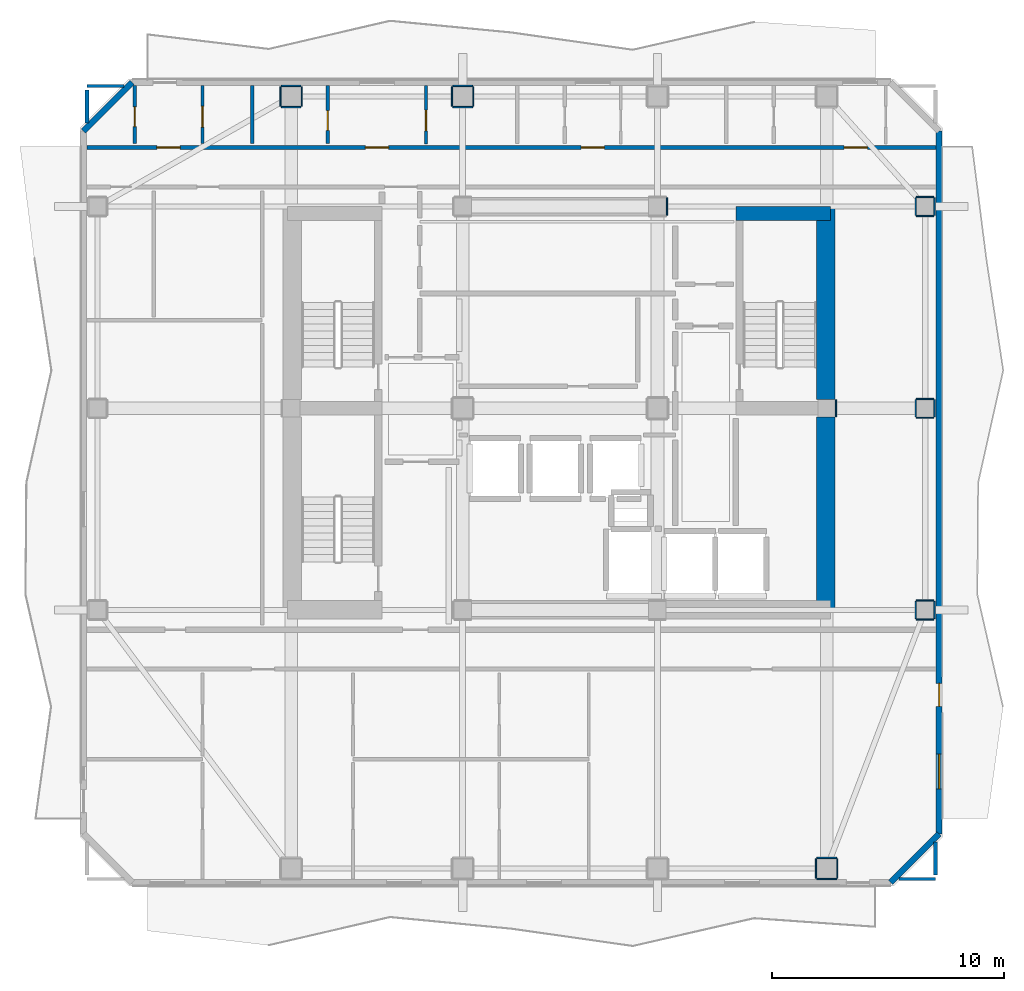
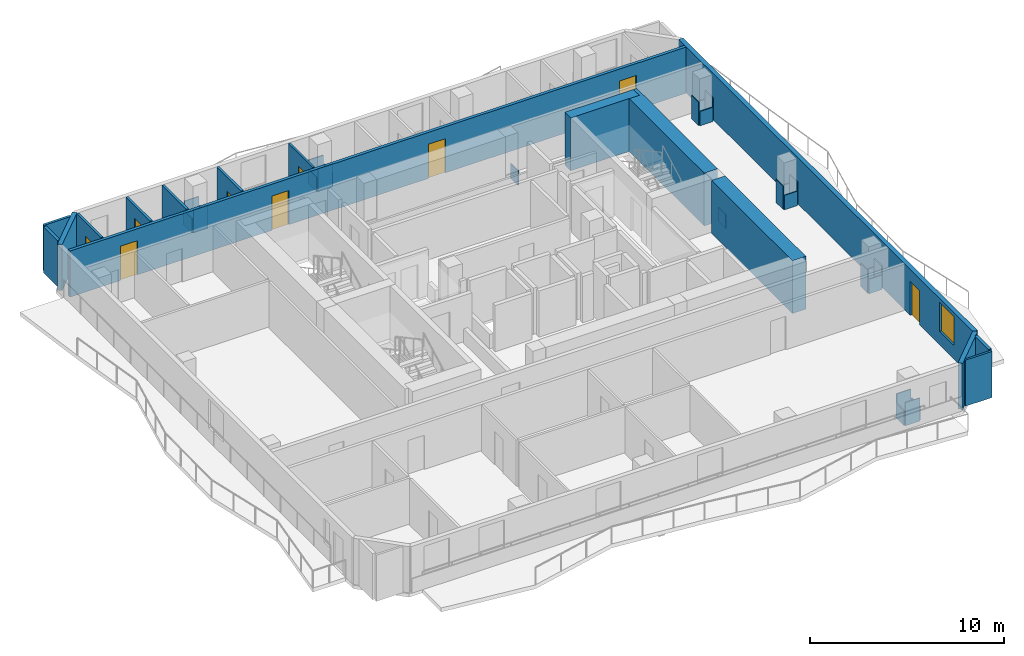
# One storey, part 5 of 10: 42 walls, 9 doors, 1 window, 10 openings.
"""IFC4 building model written with IfcOpenShell, lengths in metres."""

from ifc_helpers import new_model, si_unit, direction, frame, frame_2d, origin, place, context, subcontext, project, spatial, rectangle, extrude, material, layer, layer_set, type_object, element, fill, save


model = new_model("IFC4")

# Units and contexts
model_context = context("Model", 3, precision=1e-05, world=origin(), true_north=direction((0.0, 1.0)))
body_context = subcontext(model_context, "Body", "Model", "MODEL_VIEW")
ifc_project = project(units=[si_unit("LENGTHUNIT", "METRE"), si_unit("AREAUNIT", "SQUARE_METRE"), si_unit("VOLUMEUNIT", "CUBIC_METRE"), si_unit("PLANEANGLEUNIT", "RADIAN"), si_unit("MASSUNIT", "GRAM", prefix="KILO")], contexts=[model_context])

# Site, building, storey
site_placement = place(None, origin())
site = spatial("IfcSite", under=ifc_project, at=site_placement, CompositionType="ELEMENT")
building_placement = place(site_placement, origin())
building = spatial("IfcBuilding", under=site, at=building_placement, Name="Solanera Arch Residences", CompositionType="ELEMENT")
storey_placement = place(building_placement, frame((0.0, 0.0, 206.760009765625)))
storey = spatial("IfcBuildingStorey", under=building, at=storey_placement, Name="L60", CompositionType="ELEMENT", Elevation=206.760009765625)

# Walls
ifc_material_1 = material(Name="Fire-Rated Gypsum Stud Partition", Category="gypsum")
ifc_layer_1 = layer(ifc_material_1, 0.06005859375)
ifc_layer_set_1 = layer_set([ifc_layer_1], Name="Fire-Rated Gypsum Stud Partition")
wall_type_1 = type_object("IfcWallType", Name="Column Acoustic Furring Wall 60", PredefinedType="PARTITIONING", material=ifc_layer_set_1)
for number, where, z_axis, x_axis, name in (
    (1, (29.60693359375, 39.02490234375, 0.0), (0.0, 0.0, 1.0), (0.0, 1.0, 0.0), "L60 Column Furring 4E"),
    (2, (36.906982421875, 30.324951171875, 0.0), (0.0, 0.0, 1.0), (0.0, 1.0, 0.0), "L60 Column Furring 6E"),
):
    element("IfcWall", number, at=place(storey_placement, frame(where, z_axis=z_axis, x_axis=x_axis)), inside=storey, type_object=wall_type_1, Name=name, PredefinedType="PARTITIONING", context=body_context, shape_type="SweptSolid", body=[
        extrude(rectangle(XDim=0.75, YDim=0.06005859375, at=frame_2d((0.375, 0.0))), origin(), (0.0, 0.0, 1.0), 0.905029296875),
    ])
for number, where, z_axis, x_axis, name in (
    (3, (12.97509765625, 43.693115234375, 0.0), (0.0, 0.0, 1.0), (1.0, 0.0, 0.0), "L60 Column Furring 10S"),
    (4, (12.97509765625, 44.60693359375, 0.0), (0.0, 0.0, 1.0), (1.0, 0.0, 0.0), "L60 Column Furring 10N"),
):
    element("IfcWall", number, at=place(storey_placement, frame(where, z_axis=z_axis, x_axis=x_axis)), inside=storey, type_object=wall_type_1, Name=name, PredefinedType="PARTITIONING", context=body_context, shape_type="SweptSolid", body=[
        extrude(rectangle(XDim=0.849853515625, YDim=0.06005859375, at=frame_2d((0.4248046875, 0.0))), origin(), (0.0, 0.0, 1.0), 1.449951171875),
    ])
for number, where, z_axis, x_axis, name in (
    (5, (12.943115234375, 43.72509765625, 0.0), (0.0, 0.0, 1.0), (0.0, 1.0, 0.0), "L60 Column Furring 10W"),
    (6, (13.85693359375, 43.72509765625, 0.0), (0.0, 0.0, 1.0), (0.0, 1.0, 0.0), "L60 Column Furring 10E"),
):
    element("IfcWall", number, at=place(storey_placement, frame(where, z_axis=z_axis, x_axis=x_axis)), inside=storey, type_object=wall_type_1, Name=name, PredefinedType="PARTITIONING", context=body_context, shape_type="SweptSolid", body=[
        extrude(rectangle(XDim=0.849853515625, YDim=0.06005859375, at=frame_2d((0.4248046875, 0.0))), origin(), (0.0, 0.0, 1.0), 0.905029296875),
    ])
for number, where, z_axis, x_axis, name in (
    (7, (20.375, 43.693115234375, 0.0), (0.0, 0.0, 1.0), (1.0, 0.0, 0.0), "L60 Column Furring 12S"),
    (8, (20.375, 44.60693359375, 0.0), (0.0, 0.0, 1.0), (1.0, 0.0, 0.0), "L60 Column Furring 12N"),
):
    element("IfcWall", number, at=place(storey_placement, frame(where, z_axis=z_axis, x_axis=x_axis)), inside=storey, type_object=wall_type_1, Name=name, PredefinedType="PARTITIONING", context=body_context, shape_type="SweptSolid", body=[
        extrude(rectangle(XDim=0.85009765625, YDim=0.06005859375, at=frame_2d((0.425048828125, 0.0))), origin(), (0.0, 0.0, 1.0), 1.449951171875),
    ])
for number, where, z_axis, x_axis, name in (
    (9, (20.343017578125, 43.72509765625, 0.0), (0.0, 0.0, 1.0), (0.0, 1.0, 0.0), "L60 Column Furring 12W"),
    (10, (21.257080078125, 43.72509765625, 0.0), (0.0, 0.0, 1.0), (0.0, 1.0, 0.0), "L60 Column Furring 12E"),
):
    element("IfcWall", number, at=place(storey_placement, frame(where, z_axis=z_axis, x_axis=x_axis)), inside=storey, type_object=wall_type_1, Name=name, PredefinedType="PARTITIONING", context=body_context, shape_type="SweptSolid", body=[
        extrude(rectangle(XDim=0.849853515625, YDim=0.06005859375, at=frame_2d((0.4248046875, 0.0))), origin(), (0.0, 0.0, 1.0), 0.905029296875),
    ])
for number, where, z_axis, x_axis, name in (
    (11, (36.074951171875, 10.39306640625, 0.0), (0.0, 0.0, 1.0), (1.0, 0.0, 0.0), "L60 Column Furring 15S"),
    (12, (36.074951171875, 11.306884765625, 0.0), (0.0, 0.0, 1.0), (1.0, 0.0, 0.0), "L60 Column Furring 15N"),
):
    element("IfcWall", number, at=place(storey_placement, frame(where, z_axis=z_axis, x_axis=x_axis)), inside=storey, type_object=wall_type_1, Name=name, PredefinedType="PARTITIONING", context=body_context, shape_type="SweptSolid", body=[
        extrude(rectangle(XDim=0.85009765625, YDim=0.06005859375, at=frame_2d((0.425048828125, 0.0))), origin(), (0.0, 0.0, 1.0), 1.449951171875),
    ])
for number, where, z_axis, x_axis, name in (
    (13, (36.04296875, 10.425048828125, 0.0), (0.0, 0.0, 1.0), (0.0, 1.0, 0.0), "L60 Column Furring 15W"),
    (14, (36.95703125, 10.425048828125, 0.0), (0.0, 0.0, 1.0), (0.0, 1.0, 0.0), "L60 Column Furring 15E"),
):
    element("IfcWall", number, at=place(storey_placement, frame(where, z_axis=z_axis, x_axis=x_axis)), inside=storey, type_object=wall_type_1, Name=name, PredefinedType="PARTITIONING", context=body_context, shape_type="SweptSolid", body=[
        extrude(rectangle(XDim=0.849853515625, YDim=0.06005859375, at=frame_2d((0.4248046875, 0.0))), origin(), (0.0, 0.0, 1.0), 0.905029296875),
    ])
for number, where, z_axis, x_axis, name in (
    (15, (40.375, 21.593017578125, 0.0), (0.0, 0.0, 1.0), (1.0, 0.0, 0.0), "L60 Column Furring 18S"),
    (16, (40.375, 22.406982421875, 0.0), (0.0, 0.0, 1.0), (1.0, 0.0, 0.0), "L60 Column Furring 18N"),
):
    element("IfcWall", number, at=place(storey_placement, frame(where, z_axis=z_axis, x_axis=x_axis)), inside=storey, type_object=wall_type_1, Name=name, PredefinedType="PARTITIONING", context=body_context, shape_type="SweptSolid", body=[
        extrude(rectangle(XDim=0.75, YDim=0.06005859375, at=frame_2d((0.375, 0.0))), origin(), (0.0, 0.0, 1.0), 0.905029296875),
    ])
for number, where, z_axis, x_axis, name in (
    (17, (40.343017578125, 21.625, 0.0), (0.0, 0.0, 1.0), (0.0, 1.0, 0.0), "L60 Column Furring 18W"),
    (18, (41.156982421875, 21.625, 0.0), (0.0, 0.0, 1.0), (0.0, 1.0, 0.0), "L60 Column Furring 18E"),
):
    element("IfcWall", number, at=place(storey_placement, frame(where, z_axis=z_axis, x_axis=x_axis)), inside=storey, type_object=wall_type_1, Name=name, PredefinedType="PARTITIONING", context=body_context, shape_type="SweptSolid", body=[
        extrude(rectangle(XDim=0.75, YDim=0.06005859375, at=frame_2d((0.375, 0.0))), origin(), (0.0, 0.0, 1.0), 1.449951171875),
    ])
for number, where, z_axis, x_axis, name in (
    (19, (40.375, 30.29296875, 0.0), (0.0, 0.0, 1.0), (1.0, 0.0, 0.0), "L60 Column Furring 20S"),
    (20, (40.375, 31.10693359375, 0.0), (0.0, 0.0, 1.0), (1.0, 0.0, 0.0), "L60 Column Furring 20N"),
):
    element("IfcWall", number, at=place(storey_placement, frame(where, z_axis=z_axis, x_axis=x_axis)), inside=storey, type_object=wall_type_1, Name=name, PredefinedType="PARTITIONING", context=body_context, shape_type="SweptSolid", body=[
        extrude(rectangle(XDim=0.75, YDim=0.06005859375, at=frame_2d((0.375, 0.0))), origin(), (0.0, 0.0, 1.0), 0.905029296875),
    ])
for number, where, z_axis, x_axis, name in (
    (21, (40.343017578125, 30.324951171875, 0.0), (0.0, 0.0, 1.0), (0.0, 1.0, 0.0), "L60 Column Furring 20W"),
    (22, (41.156982421875, 30.324951171875, 0.0), (0.0, 0.0, 1.0), (0.0, 1.0, 0.0), "L60 Column Furring 20E"),
):
    element("IfcWall", number, at=place(storey_placement, frame(where, z_axis=z_axis, x_axis=x_axis)), inside=storey, type_object=wall_type_1, Name=name, PredefinedType="PARTITIONING", context=body_context, shape_type="SweptSolid", body=[
        extrude(rectangle(XDim=0.75, YDim=0.06005859375, at=frame_2d((0.375, 0.0))), origin(), (0.0, 0.0, 1.0), 1.449951171875),
    ])
for number, where, z_axis, x_axis, name in (
    (23, (40.375, 38.992919921875, 0.0), (0.0, 0.0, 1.0), (1.0, 0.0, 0.0), "L60 Column Furring 22S"),
    (24, (40.375, 39.806884765625, 0.0), (0.0, 0.0, 1.0), (1.0, 0.0, 0.0), "L60 Column Furring 22N"),
):
    element("IfcWall", number, at=place(storey_placement, frame(where, z_axis=z_axis, x_axis=x_axis)), inside=storey, type_object=wall_type_1, Name=name, PredefinedType="PARTITIONING", context=body_context, shape_type="SweptSolid", body=[
        extrude(rectangle(XDim=0.75, YDim=0.06005859375, at=frame_2d((0.375, 0.0))), origin(), (0.0, 0.0, 1.0), 0.905029296875),
    ])
for number, where, z_axis, x_axis, name in (
    (25, (40.343017578125, 39.02490234375, 0.0), (0.0, 0.0, 1.0), (0.0, 1.0, 0.0), "L60 Column Furring 22W"),
    (26, (41.156982421875, 39.02490234375, 0.0), (0.0, 0.0, 1.0), (0.0, 1.0, 0.0), "L60 Column Furring 22E"),
):
    element("IfcWall", number, at=place(storey_placement, frame(where, z_axis=z_axis, x_axis=x_axis)), inside=storey, type_object=wall_type_1, Name=name, PredefinedType="PARTITIONING", context=body_context, shape_type="SweptSolid", body=[
        extrude(rectangle(XDim=0.75, YDim=0.06005859375, at=frame_2d((0.375, 0.0))), origin(), (0.0, 0.0, 1.0), 1.449951171875),
    ])
ifc_material_2 = material(Name="Concrete C40/50 (f'c = 45 MPa)", Category="concrete")
ifc_layer_2 = layer(ifc_material_2, 0.60009765625)
ifc_layer_set_2 = layer_set([ifc_layer_2], Name="Concrete C40/50 (f'c = 45 MPa)")
wall_type_2 = type_object("IfcWallType", Name="Core Shear Wall CW-600", PredefinedType="SHEAR", material=ifc_layer_set_2)
wall_1_placement = place(storey_placement, frame((32.580078125, 39.10009765625, 0.0), z_axis=(0.0, 0.0, 1.0), x_axis=(1.0, 0.0, 0.0)))
element("IfcWall", 27, at=wall_1_placement, inside=storey, type_object=wall_type_2, Name="L60 North-East Core Shear Wall", PredefinedType="SHEAR", context=body_context, shape_type="SweptSolid", body=[
    extrude(rectangle(XDim=4.079833984375, YDim=0.60009765625, at=frame_2d((2.0400390625, 0.0))), origin(), (0.0, 0.0, 1.0), 3.320068359375),
])
ifc_material_3 = material(Name="Concrete C40/50 (f'c = 45 MPa)", Category="concrete")
ifc_layer_3 = layer(ifc_material_3, 0.800048828125)
ifc_layer_set_3 = layer_set([ifc_layer_3], Name="Concrete C40/50 (f'c = 45 MPa)")
wall_type_3 = type_object("IfcWallType", Name="Core Shear Wall CW-800", PredefinedType="SHEAR", material=ifc_layer_set_3)
wall_2_placement = place(storey_placement, frame((36.4599609375, 22.0, 0.0), z_axis=(0.0, 0.0, 1.0), x_axis=(0.0, 1.0, 0.0)))
element("IfcWall", 28, at=wall_2_placement, inside=storey, type_object=wall_type_3, Name="L60 East Core South Shear Wall", PredefinedType="SHEAR", context=body_context, shape_type="SweptSolid", body=[
    extrude(rectangle(XDim=8.320068359375, YDim=0.800048828125, at=frame_2d((4.16015625, 0.0))), origin(), (0.0, 0.0, 1.0), 3.320068359375),
])
wall_3_placement = place(storey_placement, frame((36.4599609375, 31.080078125, 0.0), z_axis=(0.0, 0.0, 1.0), x_axis=(0.0, 1.0, 0.0)))
element("IfcWall", 29, at=wall_3_placement, inside=storey, type_object=wall_type_3, Name="L60 East Core North Shear Wall", PredefinedType="SHEAR", context=body_context, shape_type="SweptSolid", body=[
    extrude(rectangle(XDim=8.31982421875, YDim=0.800048828125, at=frame_2d((4.159912109375, 0.0))), origin(), (0.0, 0.0, 1.0), 3.320068359375),
])

# Wall, openings, doors
ifc_material_4 = material(Name="Autoclaved Aerated Concrete Blockwork", Category="masonry")
ifc_layer_4 = layer(ifc_material_4, 0.179931640625)
ifc_layer_set_4 = layer_set([ifc_layer_4], Name="Autoclaved Aerated Concrete Blockwork")
wall_type_4 = type_object("IfcWallType", Name="Corridor Fire Partition 180", PredefinedType="PARTITIONING", material=ifc_layer_set_4)
wall_4_placement = place(storey_placement, frame((4.5869140625, 41.949951171875, 0.0), z_axis=(0.0, 0.0, 1.0), x_axis=(1.0, 0.0, 0.0)))
wall_4 = element("IfcWall", 30, at=wall_4_placement, inside=storey, type_object=wall_type_4, Name="L60 Interior Partition H12", PredefinedType="PARTITIONING", context=body_context, shape_type="SweptSolid", body=[
    extrude(rectangle(XDim=36.6259765625, YDim=0.179931640625, at=frame_2d((18.31298828125, 0.0))), origin(), (0.0, 0.0, 1.0), 2.89990234375),
])
opening_1_placement = place(wall_4_placement, frame((3.02294921875, 0.0, 0.0)))
opening_1 = element("IfcOpeningElement", 31, at=opening_1_placement, cuts=wall_4, Name="Opening DI-01", PredefinedType="OPENING", context=body_context, shape_type="SweptSolid", body=[
    extrude(rectangle(XDim=1.0, YDim=2.14990234375, at=frame_2d((0.5, 1.074951171875))), frame((0.0, 0.10009765625, 0.0), z_axis=(0.0, -1.0, 0.0), x_axis=(1.0, 0.0, 0.0)), (0.0, 0.0, 1.0), 0.1999),
])
opening_2_placement = place(wall_4_placement, frame((12.012939453125, 0.0, 0.0)))
opening_2 = element("IfcOpeningElement", 32, at=opening_2_placement, cuts=wall_4, Name="Opening DI-01", PredefinedType="OPENING", context=body_context, shape_type="SweptSolid", body=[
    extrude(rectangle(XDim=1.0, YDim=2.14990234375, at=frame_2d((0.5, 1.074951171875))), frame((0.0, 0.10009765625, 0.0), z_axis=(0.0, -1.0, 0.0), x_axis=(1.0, 0.0, 0.0)), (0.0, 0.0, 1.0), 0.1999),
])
opening_3_placement = place(wall_4_placement, frame((21.323974609375, 0.0, 0.0)))
opening_3 = element("IfcOpeningElement", 33, at=opening_3_placement, cuts=wall_4, Name="Opening DI-01", PredefinedType="OPENING", context=body_context, shape_type="SweptSolid", body=[
    extrude(rectangle(XDim=1.0, YDim=2.14990234375, at=frame_2d((0.5, 1.074951171875))), frame((0.0, 0.10009765625, 0.0), z_axis=(0.0, -1.0, 0.0), x_axis=(1.0, 0.0, 0.0)), (0.0, 0.0, 1.0), 0.1999),
])
opening_4_placement = place(wall_4_placement, frame((32.6650390625, 0.0, 0.0)))
opening_4 = element("IfcOpeningElement", 34, at=opening_4_placement, cuts=wall_4, Name="Opening DI-01", PredefinedType="OPENING", context=body_context, shape_type="SweptSolid", body=[
    extrude(rectangle(XDim=1.0, YDim=2.14990234375, at=frame_2d((0.5, 1.074951171875))), frame((0.0, 0.10009765625, 0.0), z_axis=(0.0, -1.0, 0.0), x_axis=(1.0, 0.0, 0.0)), (0.0, 0.0, 1.0), 0.1999),
])
ifc_material_5 = material(Name="Fire-Rated Architectural Hardwood", Category="wood")
door_type_1 = type_object("IfcDoorType", Name="Unit Entrance Fire Door DI-01", OperationType="NOTDEFINED", PredefinedType="DOOR", material=ifc_material_5)
door_1_placement = place(opening_1_placement, origin())
door_1 = element("IfcDoor", 35, at=door_1_placement, inside=storey, type_object=door_type_1, Name="DR-L60-IN-022", OperationType="SINGLE_SWING_LEFT", OverallHeight=2.14990234375, OverallWidth=1.0, PredefinedType="DOOR", context=body_context, shape_type="SweptSolid", body=[
    extrude(rectangle(XDim=1.0, YDim=2.14990234375, at=frame_2d((0.5, 1.074951171875))), frame((0.0, 0.02490234375, 0.0), z_axis=(0.0, -1.0, 0.0), x_axis=(1.0, 0.0, 0.0)), (0.0, 0.0, 1.0), 0.050048828125),
])
fill(opening_1, door_1)
door_2_placement = place(opening_2_placement, origin())
door_2 = element("IfcDoor", 36, at=door_2_placement, inside=storey, type_object=door_type_1, Name="DR-L60-IN-025", OperationType="SINGLE_SWING_RIGHT", OverallHeight=2.14990234375, OverallWidth=1.0, PredefinedType="DOOR", context=body_context, shape_type="SweptSolid", body=[
    extrude(rectangle(XDim=1.0, YDim=2.14990234375, at=frame_2d((0.5, 1.074951171875))), frame((0.0, 0.02490234375, 0.0), z_axis=(0.0, -1.0, 0.0), x_axis=(1.0, 0.0, 0.0)), (0.0, 0.0, 1.0), 0.050048828125),
])
fill(opening_2, door_2)
door_3_placement = place(opening_3_placement, origin())
door_3 = element("IfcDoor", 37, at=door_3_placement, inside=storey, type_object=door_type_1, Name="DR-L60-IN-028", OperationType="SINGLE_SWING_LEFT", OverallHeight=2.14990234375, OverallWidth=1.0, PredefinedType="DOOR", context=body_context, shape_type="SweptSolid", body=[
    extrude(rectangle(XDim=1.0, YDim=2.14990234375, at=frame_2d((0.5, 1.074951171875))), frame((0.0, 0.02490234375, 0.0), z_axis=(0.0, -1.0, 0.0), x_axis=(1.0, 0.0, 0.0)), (0.0, 0.0, 1.0), 0.050048828125),
])
fill(opening_3, door_3)
door_4_placement = place(opening_4_placement, origin())
door_4 = element("IfcDoor", 38, at=door_4_placement, inside=storey, type_object=door_type_1, Name="DR-L60-IN-031", OperationType="SINGLE_SWING_RIGHT", OverallHeight=2.14990234375, OverallWidth=1.0, PredefinedType="DOOR", context=body_context, shape_type="SweptSolid", body=[
    extrude(rectangle(XDim=1.0, YDim=2.14990234375, at=frame_2d((0.5, 1.074951171875))), frame((0.0, 0.02490234375, 0.0), z_axis=(0.0, -1.0, 0.0), x_axis=(1.0, 0.0, 0.0)), (0.0, 0.0, 1.0), 0.050048828125),
])
fill(opening_4, door_4)

# Walls
wall_5_placement = place(storey_placement, frame((4.60009765625, 43.010986328125, 0.0), z_axis=(0.0, 0.0, 1.0), x_axis=(0.0, 1.0, 0.0)))
element("IfcWall", 39, at=wall_5_placement, inside=storey, type_object=wall_type_4, Name="L60 Interior Partition V7 2", PredefinedType="PARTITIONING", context=body_context, shape_type="SweptSolid", body=[
    extrude(rectangle(XDim=1.4208984375, YDim=0.179931640625, at=frame_2d((0.71044921875, 0.0))), origin(), (0.0, 0.0, 1.0), 2.89990234375),
])
wall_6_placement = place(storey_placement, frame((41.199951171875, 10.55810546875, 0.0), z_axis=(0.0, 0.0, 1.0), x_axis=(0.0, 1.0, 0.0)))
element("IfcWall", 40, at=wall_6_placement, inside=storey, type_object=wall_type_4, Name="L60 Interior Partition V9", PredefinedType="PARTITIONING", context=body_context, shape_type="SweptSolid", body=[
    extrude(rectangle(XDim=1.430908203125, YDim=0.179931640625, at=frame_2d((0.71533203125, 0.0))), origin(), (0.0, 0.0, 1.0), 2.89990234375),
])
ifc_material_6 = material(Name="Precast Concrete C35/45", Category="concrete")
ifc_layer_5 = layer(ifc_material_6, 0.260009765625)
ifc_layer_set_5 = layer_set([ifc_layer_5], Name="Precast Concrete C35/45")
wall_type_5 = type_object("IfcWallType", Name="Exterior Wall Precast Masonry-Frame 260", PredefinedType="STANDARD", material=ifc_layer_set_5)
wall_7_placement = place(storey_placement, frame((4.445068359375, 42.655029296875, 0.0), z_axis=(0.0, 0.0, 1.0), x_axis=(0.707106781187, 0.707106781187, 0.0)))
element("IfcWall", 41, at=wall_7_placement, inside=storey, type_object=wall_type_5, Name="L60 Tower Exterior Precast Masonry-Frame Wall CH1", PredefinedType="STANDARD", context=body_context, shape_type="SweptSolid", body=[
    extrude(rectangle(XDim=2.9697265625, YDim=0.260009765625, at=frame_2d((1.48486328125, 0.0))), origin(), (0.0, 0.0, 1.0), 2.89990234375),
])

# Wall, openings, door, window
wall_8_placement = place(storey_placement, frame((41.35498046875, 42.655029296875, 0.0), z_axis=(0.0, 0.0, 1.0), x_axis=(0.0, -1.0, 0.0)))
wall_8 = element("IfcWall", 42, at=wall_8_placement, inside=storey, type_object=wall_type_5, Name="L60 Tower Exterior Precast Masonry-Frame Wall E", PredefinedType="STANDARD", context=body_context, shape_type="SweptSolid", body=[
    extrude(rectangle(XDim=30.31005859375, YDim=0.260009765625, at=frame_2d((15.155029296875, 0.0))), origin(), (0.0, 0.0, 1.0), 2.89990234375),
])
opening_5_placement = place(wall_8_placement, frame((23.818115234375, 0.0, 0.0)))
opening_5 = element("IfcOpeningElement", 43, at=opening_5_placement, cuts=wall_8, Name="Opening DB-01", PredefinedType="OPENING", context=body_context, shape_type="SweptSolid", body=[
    extrude(rectangle(XDim=1.0, YDim=2.14990234375, at=frame_2d((0.5, 1.074951171875))), frame((0.0, 0.139892578125, 0.0), z_axis=(0.0, -1.0, 0.0), x_axis=(1.0, 0.0, 0.0)), (0.0, 0.0, 1.0), 0.28),
])
opening_6_placement = place(wall_8_placement, frame((26.868896484375, 0.0, 0.85009765625)))
opening_6 = element("IfcOpeningElement", 44, at=opening_6_placement, cuts=wall_8, Name="Opening W-02", PredefinedType="OPENING", context=body_context, shape_type="SweptSolid", body=[
    extrude(rectangle(XDim=1.5, YDim=1.800048828125, at=frame_2d((0.75, 0.89990234375))), frame((0.0, 0.139892578125, 0.0), z_axis=(0.0, -1.0, 0.0), x_axis=(1.0, 0.0, 0.0)), (0.0, 0.0, 1.0), 0.28),
])
ifc_material_7 = material(Name="Anodised Aluminium Alloy 6063-T6", Category="aluminium")
door_type_2 = type_object("IfcDoorType", Name="Glazed Balcony Swing Door DB-01", OperationType="NOTDEFINED", PredefinedType="DOOR", material=ifc_material_7)
door_5_placement = place(opening_5_placement, origin())
door_5 = element("IfcDoor", 45, at=door_5_placement, inside=storey, type_object=door_type_2, Name="DR-L60-OUT-03", OperationType="SINGLE_SWING_RIGHT", OverallHeight=2.14990234375, OverallWidth=1.0, PredefinedType="DOOR", context=body_context, shape_type="SweptSolid", body=[
    extrude(rectangle(XDim=1.0, YDim=2.14990234375, at=frame_2d((0.5, 1.074951171875))), frame((0.0, 0.02490234375, 0.0), z_axis=(0.0, -1.0, 0.0), x_axis=(1.0, 0.0, 0.0)), (0.0, 0.0, 1.0), 0.050048828125),
])
fill(opening_5, door_5)
ifc_material_8 = material(Name="Double Glazed Low-E Laminated Glass", Category="glass")
window_type = type_object("IfcWindowType", Name="Punched Window W-02", PartitioningType="DOUBLE_PANEL_VERTICAL", PredefinedType="WINDOW", material=ifc_material_8)
window_placement = place(opening_6_placement, origin())
window = element("IfcWindow", 46, at=window_placement, inside=storey, type_object=window_type, Name="L60 AMN-LNG Punched Window", OverallHeight=1.800048828125, OverallWidth=1.5, PartitioningType="SINGLE_PANEL", PredefinedType="WINDOW", context=body_context, shape_type="SweptSolid", body=[
    extrude(rectangle(XDim=1.5, YDim=1.800048828125, at=frame_2d((0.75, 0.89990234375))), frame((0.0, 0.030029296875, 0.0), z_axis=(0.0, -1.0, 0.0), x_axis=(1.0, 0.0, 0.0)), (0.0, 0.0, 1.0), 0.06005859375),
])
fill(opening_6, window)

# Walls
wall_9_placement = place(storey_placement, frame((41.35498046875, 12.344970703125, 0.0), z_axis=(0.0, 0.0, 1.0), x_axis=(-0.707147883682, -0.707065676302, 0.0)))
element("IfcWall", 47, at=wall_9_placement, inside=storey, type_object=wall_type_5, Name="L60 Tower Exterior Precast Masonry-Frame Wall CH5", PredefinedType="STANDARD", context=body_context, shape_type="SweptSolid", body=[
    extrude(rectangle(XDim=2.9697265625, YDim=0.260009765625, at=frame_2d((1.48486328125, 0.0))), origin(), (0.0, 0.0, 1.0), 2.89990234375),
])
ifc_material_9 = material(Name="Fire-Rated Gypsum Stud Partition", Category="gypsum")
ifc_layer_6 = layer(ifc_material_9, 0.1201171875)
ifc_layer_set_6 = layer_set([ifc_layer_6], Name="Fire-Rated Gypsum Stud Partition")
wall_type_6 = type_object("IfcWallType", Name="Unit Drywall Partition 120", PredefinedType="PARTITIONING", material=ifc_layer_set_6)
wall_10_placement = place(storey_placement, frame((39.611083984375, 10.39990234375, 0.0), z_axis=(0.0, 0.0, 1.0), x_axis=(1.0, 0.0, 0.0)))
element("IfcWall", 48, at=wall_10_placement, inside=storey, type_object=wall_type_6, Name="L60 Interior Partition H17 2", PredefinedType="PARTITIONING", context=body_context, shape_type="SweptSolid", body=[
    extrude(rectangle(XDim=1.5888671875, YDim=0.1201171875, at=frame_2d((0.79443359375, 0.0))), origin(), (0.0, 0.0, 1.0), 2.89990234375),
])

# Wall, opening, door
wall_11_placement = place(storey_placement, frame((19.219970703125, 42.10791015625, 0.0), z_axis=(0.0, 0.0, 1.0), x_axis=(0.0, 1.0, 0.0)))
wall_11 = element("IfcWall", 49, at=wall_11_placement, inside=storey, type_object=wall_type_6, Name="L60 Interior Partition V23", PredefinedType="PARTITIONING", context=body_context, shape_type="SweptSolid", body=[
    extrude(rectangle(XDim=2.505126953125, YDim=0.1201171875, at=frame_2d((1.25244140625, 0.0))), origin(), (0.0, 0.0, 1.0), 2.89990234375),
])
opening_7_placement = place(wall_11_placement, frame((0.556884765625, 0.0, 0.0)))
opening_7 = element("IfcOpeningElement", 50, at=opening_7_placement, cuts=wall_11, Name="Opening DI-02", PredefinedType="OPENING", context=body_context, shape_type="SweptSolid", body=[
    extrude(rectangle(XDim=0.89990234375, YDim=2.10009765625, at=frame_2d((0.449951171875, 1.050048828125))), frame((0.0, 0.070068359375, 0.0), z_axis=(0.0, -1.0, 0.0), x_axis=(1.0, 0.0, 0.0)), (0.0, 0.0, 1.0), 0.1401),
])
ifc_material_10 = material(Name="Fire-Rated Architectural Hardwood", Category="wood")
door_type_3 = type_object("IfcDoorType", Name="Suite Room Swing Door DI-02", OperationType="NOTDEFINED", PredefinedType="DOOR", material=ifc_material_10)
door_6_placement = place(opening_7_placement, origin())
door_6 = element("IfcDoor", 51, at=door_6_placement, inside=storey, type_object=door_type_3, Name="DR-L60-IN-027", OperationType="SINGLE_SWING_RIGHT", OverallHeight=2.10009765625, OverallWidth=0.89990234375, PredefinedType="DOOR", context=body_context, shape_type="SweptSolid", body=[
    extrude(rectangle(XDim=0.89990234375, YDim=2.10009765625, at=frame_2d((0.449951171875, 1.050048828125))), frame((0.0, 0.02490234375, 0.0), z_axis=(0.0, -1.0, 0.0), x_axis=(1.0, 0.0, 0.0)), (0.0, 0.0, 1.0), 0.050048828125),
])
fill(opening_7, door_6)

# Wall
ifc_material_11 = material(Name="Autoclaved Aerated Concrete Blockwork", Category="masonry")
ifc_layer_7 = layer(ifc_material_11, 0.139892578125)
ifc_layer_set_7 = layer_set([ifc_layer_7], Name="Autoclaved Aerated Concrete Blockwork")
wall_type_7 = type_object("IfcWallType", Name="Wet-Room Partition 140", PredefinedType="PARTITIONING", material=ifc_layer_set_7)
wall_12_placement = place(storey_placement, frame((4.60009765625, 44.60009765625, 0.0), z_axis=(0.0, 0.0, 1.0), x_axis=(1.0, 0.0, 0.0)))
element("IfcWall", 52, at=wall_12_placement, inside=storey, type_object=wall_type_7, Name="L60 Interior Partition H16 1", PredefinedType="PARTITIONING", context=body_context, shape_type="SweptSolid", body=[
    extrude(rectangle(XDim=1.5888671875, YDim=0.139892578125, at=frame_2d((0.79443359375, 0.0))), origin(), (0.0, 0.0, 1.0), 2.89990234375),
])

# Wall, opening, door
wall_13_placement = place(storey_placement, frame((6.64990234375, 42.117919921875, 0.0), z_axis=(0.0, 0.0, 1.0), x_axis=(0.0, 1.0, 0.0)))
wall_13 = element("IfcWall", 53, at=wall_13_placement, inside=storey, type_object=wall_type_7, Name="L60 Interior Partition V11", PredefinedType="PARTITIONING", context=body_context, shape_type="SweptSolid", body=[
    extrude(rectangle(XDim=2.4951171875, YDim=0.139892578125, at=frame_2d((1.24755859375, 0.0))), origin(), (0.0, 0.0, 1.0), 2.89990234375),
])
opening_8_placement = place(wall_13_placement, frame((0.72705078125, 0.0, 0.0)))
opening_8 = element("IfcOpeningElement", 54, at=opening_8_placement, cuts=wall_13, Name="Opening DI-05", PredefinedType="OPENING", context=body_context, shape_type="SweptSolid", body=[
    extrude(rectangle(XDim=0.860107421875, YDim=2.02001953125, at=frame_2d((0.43017578125, 1.010009765625))), frame((0.0, 0.079833984375, 0.0), z_axis=(0.0, -1.0, 0.0), x_axis=(1.0, 0.0, 0.0)), (0.0, 0.0, 1.0), 0.1599),
])
ifc_material_12 = material(Name="Fire-Rated Architectural Hardwood", Category="wood")
door_type_4 = type_object("IfcDoorType", Name="Bathroom Swing Door DI-05", OperationType="NOTDEFINED", PredefinedType="DOOR", material=ifc_material_12)
door_7_placement = place(opening_8_placement, origin())
door_7 = element("IfcDoor", 55, at=door_7_placement, inside=storey, type_object=door_type_4, Name="DR-L60-IN-023", OperationType="SINGLE_SWING_RIGHT", OverallHeight=2.02001953125, OverallWidth=0.860107421875, PredefinedType="DOOR", context=body_context, shape_type="SweptSolid", body=[
    extrude(rectangle(XDim=0.860107421875, YDim=2.02001953125, at=frame_2d((0.43017578125, 1.010009765625))), frame((0.0, 0.02490234375, 0.0), z_axis=(0.0, -1.0, 0.0), x_axis=(1.0, 0.0, 0.0)), (0.0, 0.0, 1.0), 0.050048828125),
])
fill(opening_8, door_7)

wall_14_placement = place(storey_placement, frame((9.576904296875, 42.117919921875, 0.0), z_axis=(0.0, 0.0, 1.0), x_axis=(0.0, 1.0, 0.0)))
wall_14 = element("IfcWall", 56, at=wall_14_placement, inside=storey, type_object=wall_type_7, Name="L60 Interior Partition V14", PredefinedType="PARTITIONING", context=body_context, shape_type="SweptSolid", body=[
    extrude(rectangle(XDim=2.4951171875, YDim=0.139892578125, at=frame_2d((1.24755859375, 0.0))), origin(), (0.0, 0.0, 1.0), 2.89990234375),
])
opening_9_placement = place(wall_14_placement, frame((0.70703125, 0.0, 0.0)))
opening_9 = element("IfcOpeningElement", 57, at=opening_9_placement, cuts=wall_14, Name="Opening DI-02", PredefinedType="OPENING", context=body_context, shape_type="SweptSolid", body=[
    extrude(rectangle(XDim=0.89990234375, YDim=2.10009765625, at=frame_2d((0.449951171875, 1.050048828125))), frame((0.0, 0.079833984375, 0.0), z_axis=(0.0, -1.0, 0.0), x_axis=(1.0, 0.0, 0.0)), (0.0, 0.0, 1.0), 0.1599),
])
door_8_placement = place(opening_9_placement, origin())
door_8 = element("IfcDoor", 58, at=door_8_placement, inside=storey, type_object=door_type_3, Name="DR-L60-IN-024", OperationType="SINGLE_SWING_LEFT", OverallHeight=2.10009765625, OverallWidth=0.89990234375, PredefinedType="DOOR", context=body_context, shape_type="SweptSolid", body=[
    extrude(rectangle(XDim=0.89990234375, YDim=2.10009765625, at=frame_2d((0.449951171875, 1.050048828125))), frame((0.0, 0.02490234375, 0.0), z_axis=(0.0, -1.0, 0.0), x_axis=(1.0, 0.0, 0.0)), (0.0, 0.0, 1.0), 0.050048828125),
])
fill(opening_9, door_8)

# Wall
wall_15_placement = place(storey_placement, frame((11.719970703125, 42.117919921875, 0.0), z_axis=(0.0, 0.0, 1.0), x_axis=(0.0, 1.0, 0.0)))
element("IfcWall", 59, at=wall_15_placement, inside=storey, type_object=wall_type_7, Name="L60 Interior Partition V15", PredefinedType="PARTITIONING", context=body_context, shape_type="SweptSolid", body=[
    extrude(rectangle(XDim=2.4951171875, YDim=0.139892578125, at=frame_2d((1.24755859375, 0.0))), origin(), (0.0, 0.0, 1.0), 2.89990234375),
])

# Wall, opening, door
wall_16_placement = place(storey_placement, frame((14.97998046875, 42.117919921875, 0.0), z_axis=(0.0, 0.0, 1.0), x_axis=(0.0, 1.0, 0.0)))
wall_16 = element("IfcWall", 60, at=wall_16_placement, inside=storey, type_object=wall_type_7, Name="L60 Interior Partition V17", PredefinedType="PARTITIONING", context=body_context, shape_type="SweptSolid", body=[
    extrude(rectangle(XDim=2.4951171875, YDim=0.139892578125, at=frame_2d((1.24755859375, 0.0))), origin(), (0.0, 0.0, 1.0), 2.89990234375),
])
opening_10_placement = place(wall_16_placement, frame((0.56689453125, 0.0, 0.0)))
opening_10 = element("IfcOpeningElement", 61, at=opening_10_placement, cuts=wall_16, Name="Opening DI-05", PredefinedType="OPENING", context=body_context, shape_type="SweptSolid", body=[
    extrude(rectangle(XDim=0.860107421875, YDim=2.02001953125, at=frame_2d((0.43017578125, 1.010009765625))), frame((0.0, 0.079833984375, 0.0), z_axis=(0.0, -1.0, 0.0), x_axis=(1.0, 0.0, 0.0)), (0.0, 0.0, 1.0), 0.1599),
])
door_9_placement = place(opening_10_placement, origin())
door_9 = element("IfcDoor", 62, at=door_9_placement, inside=storey, type_object=door_type_4, Name="DR-L60-IN-026", OperationType="SINGLE_SWING_LEFT", OverallHeight=2.02001953125, OverallWidth=0.860107421875, PredefinedType="DOOR", context=body_context, shape_type="SweptSolid", body=[
    extrude(rectangle(XDim=0.860107421875, YDim=2.02001953125, at=frame_2d((0.43017578125, 1.010009765625))), frame((0.0, 0.02490234375, 0.0), z_axis=(0.0, -1.0, 0.0), x_axis=(1.0, 0.0, 0.0)), (0.0, 0.0, 1.0), 0.050048828125),
])
fill(opening_10, door_9)

save(model, "model.ifc")
